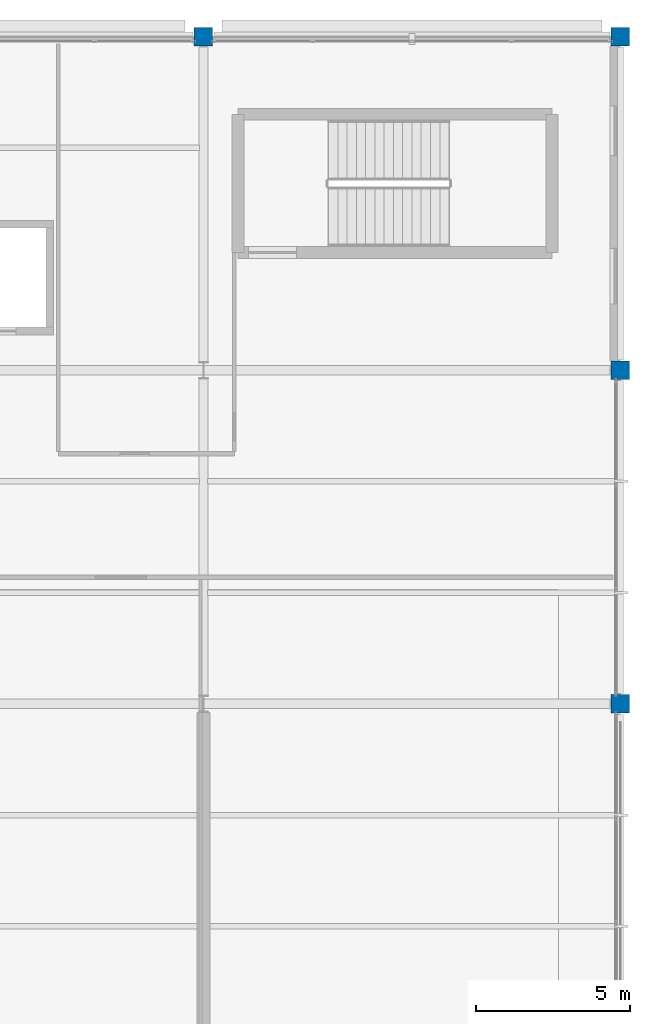
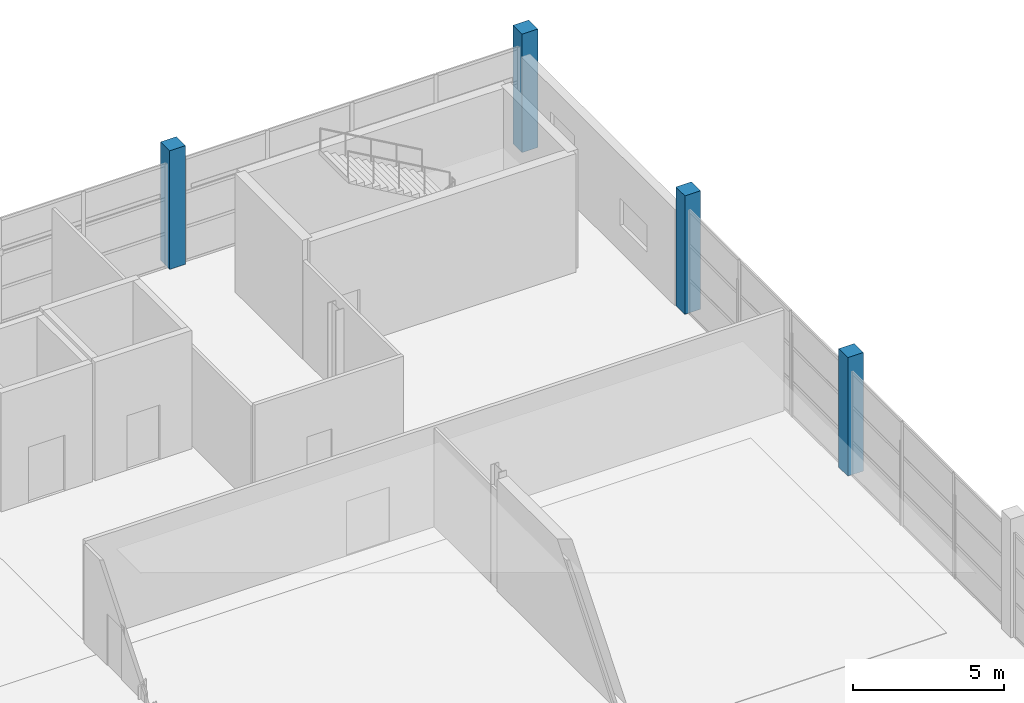
# One storey, part 20 of 134: 4 columns.
"""IFC4 building model written with IfcOpenShell, lengths in metres."""

from ifc_helpers import new_model, si_unit, direction, frame, origin, origin_2d, place, context, subcontext, project, spatial, rectangle, extrude, material, material_profile, profile_set, type_object, element, save


model = new_model("IFC4")

# Units and contexts
model_context = context("Model", 3, precision=1e-05, world=origin(), true_north=direction((0.0, 1.0)))
body_context = subcontext(model_context, "Body", "Model", "MODEL_VIEW")
ifc_project = project(units=[si_unit("LENGTHUNIT", "METRE"), si_unit("AREAUNIT", "SQUARE_METRE"), si_unit("VOLUMEUNIT", "CUBIC_METRE"), si_unit("PLANEANGLEUNIT", "RADIAN"), si_unit("MASSUNIT", "GRAM", prefix="KILO")], contexts=[model_context])

# Site, building, storey
site_placement = place(None, origin())
site = spatial("IfcSite", under=ifc_project, at=site_placement, CompositionType="ELEMENT")
building_placement = place(site_placement, origin())
building = spatial("IfcBuilding", under=site, at=building_placement, Name="Tamarisk Ironworks Central Station", CompositionType="ELEMENT")
storey_placement = place(building_placement, frame((0.0, 0.0, 12.60009765625)))
storey = spatial("IfcBuildingStorey", under=building, at=storey_placement, Name="L02", CompositionType="ELEMENT", Elevation=12.60009765625)

# Columns
ifc_material = material(Name="Concrete C50/60", Category="concrete")
ifc_material_profile = material_profile(ifc_material, rectangle(XDim=0.60009765625, YDim=0.60009765625, at=origin_2d()), Name="RC 600x600")
ifc_profile_set = profile_set([ifc_material_profile], Name="Concrete C50/60")
column_type = type_object("IfcColumnType", Name="COL-RC03", PredefinedType="COLUMN", material=ifc_profile_set)
for number, where, z_axis, x_axis, name in (
    (1, (166.5, 122.39990234375, 0.0), (0.0, 0.0, 1.0), (1.0, 0.0, 0.0), "L02 column V5-19N"),
    (2, (180.0, 100.800048828125, 0.0), (0.0, 0.0, 1.0), (1.0, 0.0, 0.0), "L02 column V5-20J"),
    (3, (180.0, 111.60009765625, 0.0), (0.0, 0.0, 1.0), (1.0, 0.0, 0.0), "L02 column V5-20L"),
    (4, (180.0, 122.39990234375, 0.0), (0.0, 0.0, 1.0), (1.0, 0.0, 0.0), "L02 column V5-20N"),
):
    element("IfcColumn", number, at=place(storey_placement, frame(where, z_axis=z_axis, x_axis=x_axis)), inside=storey, type_object=column_type, Name=name, PredefinedType="COLUMN", context=body_context, shape_type="SweptSolid", body=[
        extrude(rectangle(XDim=0.60009765625, YDim=0.60009765625, at=origin_2d()), origin(), (0.0, 0.0, 1.0), 4.7998046875),
    ])

save(model, "model.ifc")
